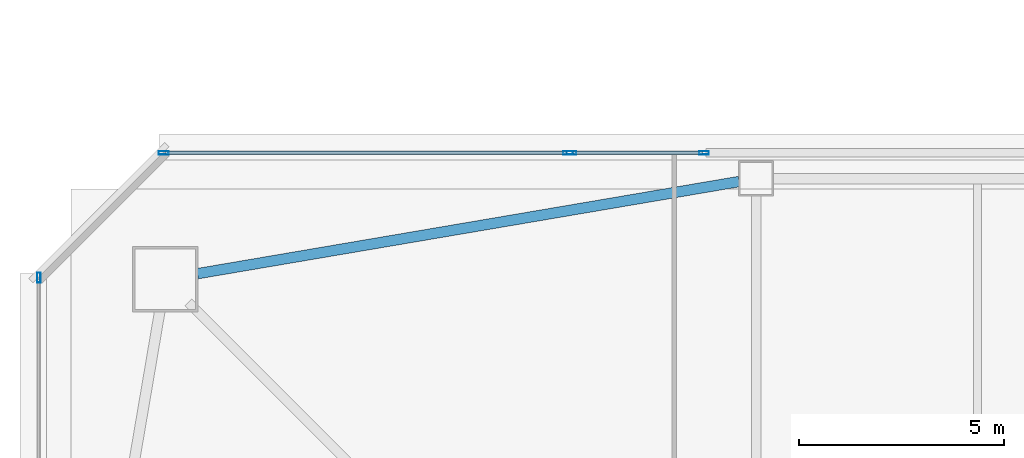
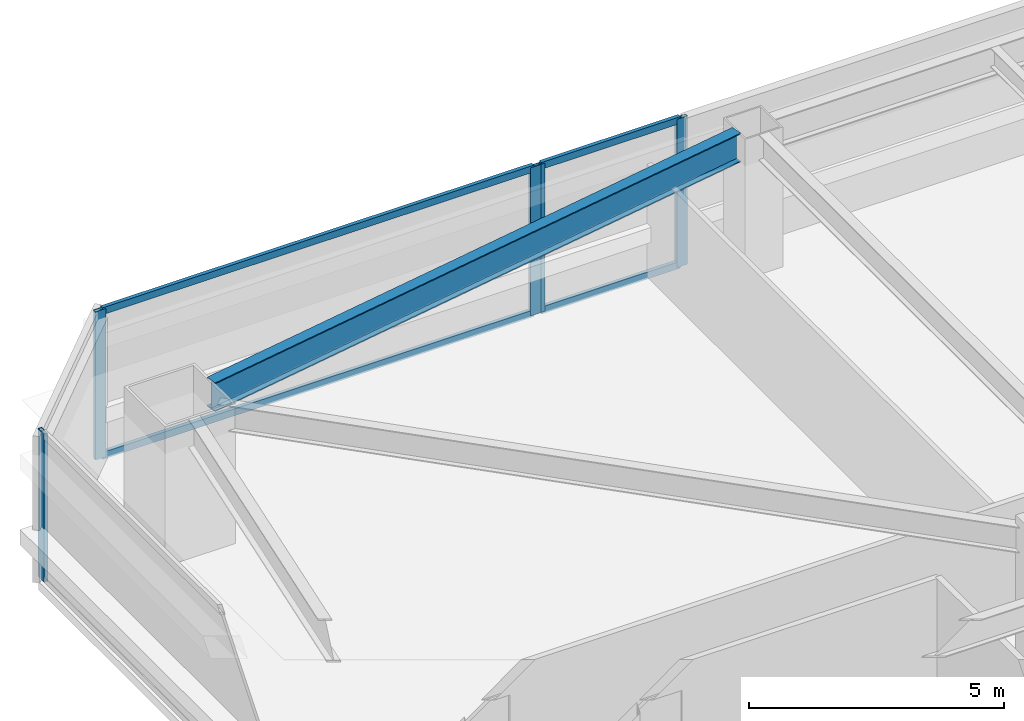
# One storey, part 14 of 46: 9 members, 1 beam, 3 elements without a shape of their own.
"""IFC4 building model written with IfcOpenShell, lengths in metres."""

from ifc_helpers import new_model, si_unit, direction, frame, origin, origin_2d, place, context, subcontext, project, spatial, hollow_rectangle, i_section, extrude, material, material_profile, profile_set, type_object, element, aggregate, save


model = new_model("IFC4")

# Units and contexts
model_context = context("Model", 3, precision=1e-05, world=origin(), true_north=direction((0.0, 1.0)))
body_context = subcontext(model_context, "Body", "Model", "MODEL_VIEW")
ifc_project = project(units=[si_unit("LENGTHUNIT", "METRE"), si_unit("AREAUNIT", "SQUARE_METRE"), si_unit("VOLUMEUNIT", "CUBIC_METRE"), si_unit("PLANEANGLEUNIT", "RADIAN"), si_unit("MASSUNIT", "GRAM", prefix="KILO")], contexts=[model_context])

# Site, building, storey
site_placement = place(None, origin())
site = spatial("IfcSite", under=ifc_project, at=site_placement, CompositionType="ELEMENT")
building_placement = place(site_placement, origin())
building = spatial("IfcBuilding", under=site, at=building_placement, Name="Tashvorn Skyway Center", CompositionType="ELEMENT")
storey_placement = place(building_placement, frame((0.0, 0.0, 31.699951171875)))
storey = spatial("IfcBuildingStorey", under=building, at=storey_placement, Name="L07", CompositionType="ELEMENT", Elevation=31.699951171875)

# Beam
ifc_material_1 = material(Name="Steel ASTM A992 Grade 50", Category="steel")
ifc_material_profile_1 = material_profile(ifc_material_1, i_section(OverallWidth=0.256103515625, OverallDepth=0.693115234375, WebThickness=0.014404296875, FlangeThickness=0.023681640625, at=origin_2d()), Name="W27X114")
ifc_profile_set_1 = profile_set([ifc_material_profile_1], Name="Steel ASTM A992 Grade 50")
beam_type = type_object("IfcBeamType", Name="BM-SPANDREL-W27X114", PredefinedType="SPANDREL", material=ifc_profile_set_1)
beam_placement = place(storey_placement, frame((36.18603515625, 54.179443359375, 3.003662109375), z_axis=(-0.985835025551, -0.16771792509, 0.0), x_axis=(0.16771792509, -0.985835025551, 0.0)))
element("IfcBeam", 1, at=beam_placement, inside=storey, type_object=beam_type, Name="Tower 1 L07 Spandrel Beam 09", PredefinedType="SPANDREL", context=body_context, shape_type="SweptSolid", body=[
    extrude(i_section(OverallWidth=0.256103515625, OverallDepth=0.693115234375, WebThickness=0.014404296875, FlangeThickness=0.023681640625, at=origin_2d()), origin(), (0.0, 0.0, 1.0), 13.39208984375),
])

# Curtain wall, member
ifc_material_2 = material(Name="Thermally broken bronze-anodized aluminium 6063-T6", Category="aluminium")
curtain_wall_type = type_object("IfcCurtainWallType", Name="CW-CW-Z1", PredefinedType="NOTDEFINED", material=ifc_material_2)
curtain_wall_1_placement = place(storey_placement, origin())
curtain_wall_1 = element("IfcCurtainWall", 2, at=curtain_wall_1_placement, inside=storey, type_object=curtain_wall_type, Name="Tower 1 L07 West Unitised Curtain Wall Glazing Group 4", PredefinedType="NOTDEFINED")
ifc_material_profile_2 = material_profile(ifc_material_2, hollow_rectangle(XDim=0.0849609375, YDim=0.239990234375, WallThickness=0.0048828125, at=origin_2d()), Name="ALU-MULL-85x240")
ifc_profile_set_2 = profile_set([ifc_material_profile_2], Name="Thermally broken bronze-anodized aluminium 6063-T6")
member_type_1 = type_object("IfcMemberType", Name="CWM-CW-Z1", PredefinedType="MULLION", material=ifc_profile_set_2)
member_1_placement = place(storey_placement, frame((19.1201171875, 51.83740234375, 0.0), z_axis=(0.0, 0.0, 1.0), x_axis=(-1.0, 0.0, 0.0)))
member_1 = element("IfcMember", 3, at=member_1_placement, type_object=member_type_1, Name="CW-Z1 mullion 2", PredefinedType="MULLION", context=body_context, shape_type="SweptSolid", body=[
    extrude(hollow_rectangle(XDim=0.0849609375, YDim=0.239990234375, WallThickness=0.0048828125, at=origin_2d()), origin(), (0.0, 0.0, 1.0), 3.550048828125),
])
aggregate(curtain_wall_1, [member_1])

# Curtain wall, members
curtain_wall_2_placement = place(storey_placement, origin())
curtain_wall_2 = element("IfcCurtainWall", 4, at=curtain_wall_2_placement, inside=storey, type_object=curtain_wall_type, Name="Tower 1 L07 North Unitised Curtain Wall Glazing Group 1", PredefinedType="NOTDEFINED")
member_2_placement = place(storey_placement, frame((22.16259765625, 54.8798828125, 0.0), z_axis=(0.0, 0.0, 1.0), x_axis=(0.0, 1.0, 0.0)))
member_2 = element("IfcMember", 5, at=member_2_placement, type_object=member_type_1, Name="CW-Z1 mullion 1", PredefinedType="MULLION", context=body_context, shape_type="SweptSolid", body=[
    extrude(hollow_rectangle(XDim=0.0849609375, YDim=0.239990234375, WallThickness=0.0048828125, at=origin_2d()), origin(), (0.0, 0.0, 1.0), 3.550048828125),
])
member_3_placement = place(storey_placement, frame((32.017578125, 54.8798828125, 0.0), z_axis=(0.0, 0.0, 1.0), x_axis=(0.0, 1.0, 0.0)))
member_3 = element("IfcMember", 6, at=member_3_placement, type_object=member_type_1, Name="CW-Z1 mullion 2", PredefinedType="MULLION", context=body_context, shape_type="SweptSolid", body=[
    extrude(hollow_rectangle(XDim=0.0849609375, YDim=0.239990234375, WallThickness=0.0048828125, at=origin_2d()), origin(), (0.0, 0.0, 1.0), 3.550048828125),
])

curtain_wall_3_placement = place(storey_placement, origin())
curtain_wall_3 = element("IfcCurtainWall", 7, at=curtain_wall_3_placement, inside=storey, type_object=curtain_wall_type, Name="Tower 1 L07 North Unitised Curtain Wall Glazing Group 2", PredefinedType="NOTDEFINED")
member_4_placement = place(storey_placement, frame((32.1025390625, 54.8798828125, 0.0), z_axis=(0.0, 0.0, 1.0), x_axis=(0.0, 1.0, 0.0)))
member_4 = element("IfcMember", 8, at=member_4_placement, type_object=member_type_1, Name="CW-Z1 mullion 1", PredefinedType="MULLION", context=body_context, shape_type="SweptSolid", body=[
    extrude(hollow_rectangle(XDim=0.0849609375, YDim=0.239990234375, WallThickness=0.0048828125, at=origin_2d()), origin(), (0.0, 0.0, 1.0), 3.550048828125),
])
member_5_placement = place(storey_placement, frame((35.330810546875, 54.8798828125, 0.0), z_axis=(0.0, 0.0, 1.0), x_axis=(0.0, 1.0, 0.0)))
member_5 = element("IfcMember", 9, at=member_5_placement, type_object=member_type_1, Name="CW-Z1 mullion 2", PredefinedType="MULLION", context=body_context, shape_type="SweptSolid", body=[
    extrude(hollow_rectangle(XDim=0.0849609375, YDim=0.239990234375, WallThickness=0.0048828125, at=origin_2d()), origin(), (0.0, 0.0, 1.0), 3.550048828125),
])

# Member
ifc_material_profile_3 = material_profile(ifc_material_2, hollow_rectangle(XDim=0.0849609375, YDim=0.1650390625, WallThickness=0.0048828125, at=origin_2d()), Name="ALU-TRAN-85x165")
ifc_profile_set_3 = profile_set([ifc_material_profile_3], Name="Thermally broken bronze-anodized aluminium 6063-T6")
member_type_2 = type_object("IfcMemberType", Name="CWT-CW-Z1", PredefinedType="USERDEFINED", material=ifc_profile_set_3)
member_6_placement = place(storey_placement, frame((22.205078125, 54.8798828125, 0.04248046875), z_axis=(1.0, 0.0, 0.0), x_axis=(0.0, 1.0, 0.0)))
member_6 = element("IfcMember", 10, at=member_6_placement, type_object=member_type_2, Name="CW-Z1 transom 1.1", ObjectType="TRANSOM", PredefinedType="USERDEFINED", context=body_context, shape_type="SweptSolid", body=[
    extrude(hollow_rectangle(XDim=0.0849609375, YDim=0.1650390625, WallThickness=0.0048828125, at=origin_2d()), origin(), (0.0, 0.0, 1.0), 9.77001953125),
])

member_7_placement = place(storey_placement, frame((22.205078125, 54.8798828125, 3.507568359375), z_axis=(1.0, 0.0, 0.0), x_axis=(0.0, 1.0, 0.0)))
member_7 = element("IfcMember", 11, at=member_7_placement, type_object=member_type_2, Name="CW-Z1 transom 1.2", ObjectType="TRANSOM", PredefinedType="USERDEFINED", context=body_context, shape_type="SweptSolid", body=[
    extrude(hollow_rectangle(XDim=0.0849609375, YDim=0.1650390625, WallThickness=0.0048828125, at=origin_2d()), origin(), (0.0, 0.0, 1.0), 9.77001953125),
])

aggregate(curtain_wall_2, [member_2, member_3, member_6, member_7])

member_8_placement = place(storey_placement, frame((32.14501953125, 54.8798828125, 0.04248046875), z_axis=(1.0, 0.0, 0.0), x_axis=(0.0, 1.0, 0.0)))
member_8 = element("IfcMember", 12, at=member_8_placement, type_object=member_type_2, Name="CW-Z1 transom 1.1", ObjectType="TRANSOM", PredefinedType="USERDEFINED", context=body_context, shape_type="SweptSolid", body=[
    extrude(hollow_rectangle(XDim=0.0849609375, YDim=0.1650390625, WallThickness=0.0048828125, at=origin_2d()), origin(), (0.0, 0.0, 1.0), 3.143310546875),
])

member_9_placement = place(storey_placement, frame((32.14501953125, 54.8798828125, 3.507568359375), z_axis=(1.0, 0.0, 0.0), x_axis=(0.0, 1.0, 0.0)))
member_9 = element("IfcMember", 13, at=member_9_placement, type_object=member_type_2, Name="CW-Z1 transom 1.2", ObjectType="TRANSOM", PredefinedType="USERDEFINED", context=body_context, shape_type="SweptSolid", body=[
    extrude(hollow_rectangle(XDim=0.0849609375, YDim=0.1650390625, WallThickness=0.0048828125, at=origin_2d()), origin(), (0.0, 0.0, 1.0), 3.143310546875),
])

aggregate(curtain_wall_3, [member_4, member_5, member_8, member_9])

save(model, "model.ifc")
